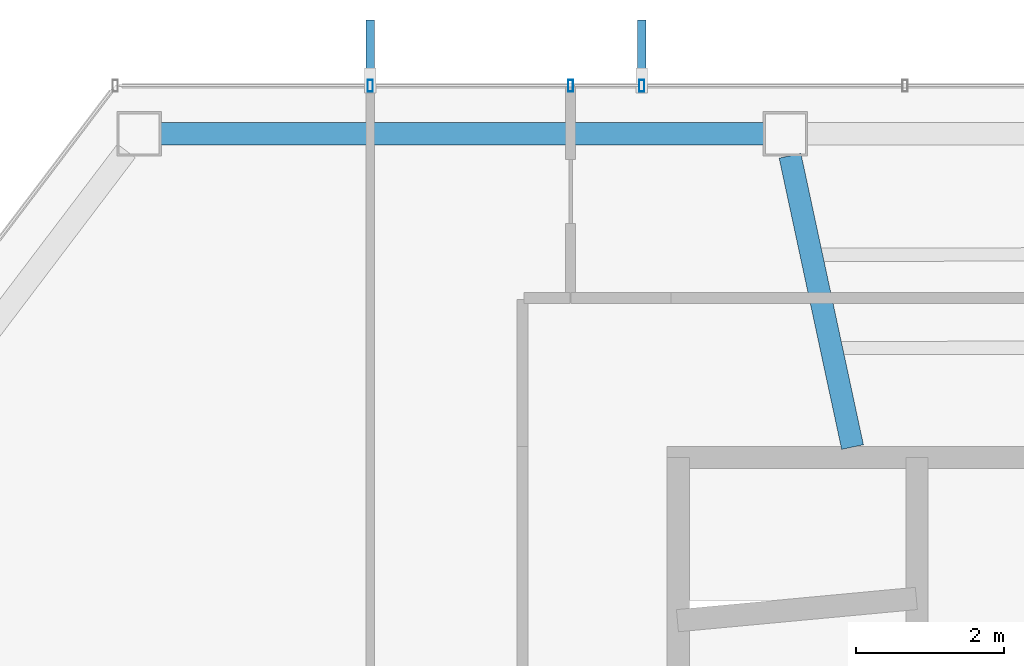
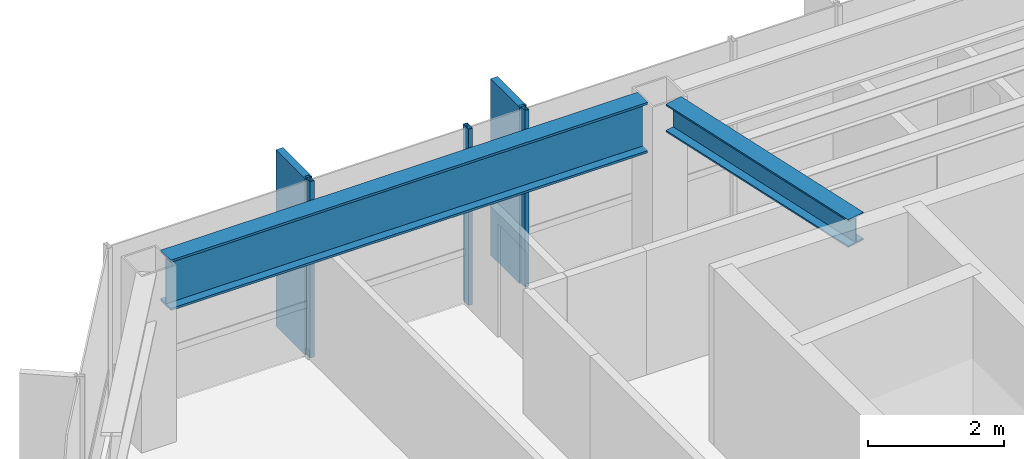
# One storey, part 10 of 25: 5 members, 2 beams, 1 element without a shape of its own.
"""IFC4 building model written with IfcOpenShell, lengths in metres."""

from ifc_helpers import new_model, si_unit, direction, frame, origin, origin_2d, place, context, subcontext, project, spatial, rectangle, hollow_rectangle, i_section, extrude, material, layer, layer_set, material_profile, profile_set, type_object, element, aggregate, save


model = new_model("IFC4")

# Units and contexts
model_context = context("Model", 3, precision=1e-05, world=origin(), true_north=direction((0.0, 1.0)))
body_context = subcontext(model_context, "Body", "Model", "MODEL_VIEW")
ifc_project = project(units=[si_unit("LENGTHUNIT", "METRE"), si_unit("AREAUNIT", "SQUARE_METRE"), si_unit("VOLUMEUNIT", "CUBIC_METRE"), si_unit("PLANEANGLEUNIT", "RADIAN"), si_unit("MASSUNIT", "GRAM", prefix="KILO")], contexts=[model_context])

# Site, building, storey
site_placement = place(None, origin())
site = spatial("IfcSite", under=ifc_project, at=site_placement, CompositionType="ELEMENT")
building_placement = place(site_placement, origin())
building = spatial("IfcBuilding", under=site, at=building_placement, Name="Zarrinselat Tower", CompositionType="ELEMENT")
storey_placement = place(building_placement, frame((0.0, 0.0, 208.760009765625)))
storey = spatial("IfcBuildingStorey", under=building, at=storey_placement, Name="L51", CompositionType="ELEMENT", Elevation=208.760009765625)

# Beams
ifc_material_1 = material(Name="Steel S355J2", Category="steel")
ifc_material_profile_1 = material_profile(ifc_material_1, i_section(OverallWidth=0.300048828125, OverallDepth=0.5, WebThickness=0.014404296875, FlangeThickness=0.028076171875, at=origin_2d()), Name="HEB 500")
ifc_profile_set_1 = profile_set([ifc_material_profile_1], Name="Steel S355J2")
beam_type_1 = type_object("IfcBeamType", Name="BM-HEB500", PredefinedType="BEAM", material=ifc_profile_set_1)
beam_1_placement = place(storey_placement, frame((30.1572265625, 47.4658203125, 2.929931640625), z_axis=(0.209894489711, -0.977724042452, 0.0), x_axis=(0.977724042452, 0.209894489711, 0.0)))
element("IfcBeam", 1, at=beam_1_placement, inside=storey, type_object=beam_type_1, Name="L51 Radial Primary Girder RG04", PredefinedType="BEAM", context=body_context, shape_type="SweptSolid", body=[
    extrude(i_section(OverallWidth=0.300048828125, OverallDepth=0.5, WebThickness=0.014404296875, FlangeThickness=0.028076171875, at=origin_2d()), origin(), (0.0, 0.0, 1.0), 4.01513671875),
])
ifc_material_2 = material(Name="Steel S460M", Category="steel")
ifc_material_profile_2 = material_profile(ifc_material_2, i_section(OverallWidth=0.302001953125, OverallDepth=0.909912109375, WebThickness=0.02099609375, FlangeThickness=0.0400390625, at=origin_2d()), Name="HEM 900")
ifc_profile_set_2 = profile_set([ifc_material_profile_2], Name="Steel S460M")
beam_type_2 = type_object("IfcBeamType", Name="BM-HEM900", PredefinedType="BEAM", material=ifc_profile_set_2)
beam_2_placement = place(storey_placement, frame((21.673583984375, 47.760986328125, 2.72509765625), z_axis=(1.0, 0.0, 0.0), x_axis=(0.0, 1.0, 0.0)))
element("IfcBeam", 2, at=beam_2_placement, inside=storey, type_object=beam_type_2, Name="L51 Perimeter Spandrel Girder SP04", PredefinedType="BEAM", context=body_context, shape_type="SweptSolid", body=[
    extrude(i_section(OverallWidth=0.302001953125, OverallDepth=0.909912109375, WebThickness=0.02099609375, FlangeThickness=0.0400390625, at=origin_2d()), origin(), (0.0, 0.0, 1.0), 8.13232421875),
])

# Curtain wall, members
ifc_material_3 = material(Name="Extruded Aluminium Alloy EN AW-6063 T6", Category="aluminium")
ifc_layer = layer(ifc_material_3, 0.169921875)
ifc_layer_set = layer_set([ifc_layer], Name="Extruded Aluminium Alloy EN AW-6063 T6")
curtain_wall_type = type_object("IfcCurtainWallType", Name="CWS-RES", PredefinedType="NOTDEFINED", material=ifc_layer_set)
curtain_wall_placement = place(storey_placement, origin())
curtain_wall = element("IfcCurtainWall", 3, at=curtain_wall_placement, inside=storey, type_object=curtain_wall_type, Name="L51 Unitised Curtain Wall CW-L51-E01", PredefinedType="NOTDEFINED")
ifc_material_4 = material(Name="Extruded Aluminium Alloy EN AW-6063 T6", Category="aluminium")
ifc_material_profile_3 = material_profile(ifc_material_4, hollow_rectangle(XDim=0.070068359375, YDim=0.159912109375, WallThickness=0.00390625, at=origin_2d()), Name="RHS 160x70x4")
ifc_profile_set_3 = profile_set([ifc_material_profile_3], Name="Extruded Aluminium Alloy EN AW-6063 T6")
member_type_1 = type_object("IfcMemberType", Name="MEM-CW-MUL2", PredefinedType="MULLION", material=ifc_profile_set_3)
member_1_placement = place(storey_placement, frame((28.158447265625, 48.4111328125, 0.0), z_axis=(0.0, 0.0, 1.0), x_axis=(-1.0, 0.0, 0.0)))
member_1 = element("IfcMember", 4, at=member_1_placement, type_object=member_type_1, Name="CW-L51-E01 Mullion 11", PredefinedType="MULLION", context=body_context, shape_type="SweptSolid", body=[
    extrude(hollow_rectangle(XDim=0.070068359375, YDim=0.159912109375, WallThickness=0.00390625, at=origin_2d()), origin(), (0.0, 0.0, 1.0), 3.179931640625),
])
member_2_placement = place(storey_placement, frame((27.199951171875, 48.4111328125, 0.0), z_axis=(0.0, 0.0, 1.0), x_axis=(-1.0, 0.0, 0.0)))
member_2 = element("IfcMember", 5, at=member_2_placement, type_object=member_type_1, Name="CW-L51-E01 Mullion 12", PredefinedType="MULLION", context=body_context, shape_type="SweptSolid", body=[
    extrude(hollow_rectangle(XDim=0.070068359375, YDim=0.159912109375, WallThickness=0.00390625, at=origin_2d()), origin(), (0.0, 0.0, 1.0), 3.179931640625),
])
member_3_placement = place(storey_placement, frame((24.5, 48.4111328125, 0.0), z_axis=(0.0, 0.0, 1.0), x_axis=(-1.0, 0.0, 0.0)))
member_3 = element("IfcMember", 6, at=member_3_placement, type_object=member_type_1, Name="CW-L51-E01 Mullion 13", PredefinedType="MULLION", context=body_context, shape_type="SweptSolid", body=[
    extrude(hollow_rectangle(XDim=0.070068359375, YDim=0.159912109375, WallThickness=0.00390625, at=origin_2d()), origin(), (0.0, 0.0, 1.0), 3.179931640625),
])
ifc_material_5 = material(Name="Honed Cream Travertine Stone", Category="masonry")
ifc_material_profile_4 = material_profile(ifc_material_5, rectangle(XDim=0.1201171875, YDim=0.85009765625, at=origin_2d()), Name="FIN 850x120")
ifc_profile_set_4 = profile_set([ifc_material_profile_4], Name="Honed Cream Travertine Stone")
member_type_2 = type_object("IfcMemberType", Name="MEM-STONE-FIN", PredefinedType="USERDEFINED", material=ifc_profile_set_4)
member_4_placement = place(storey_placement, frame((28.158447265625, 48.87109375, 0.0), z_axis=(0.0, 0.0, 1.0), x_axis=(1.0, 0.0, 0.0)))
member_4 = element("IfcMember", 7, at=member_4_placement, type_object=member_type_2, Name="L51 Stone Shading Fin CW-L51-E01-11", ObjectType="FIN", PredefinedType="USERDEFINED", context=body_context, shape_type="SweptSolid", body=[
    extrude(rectangle(XDim=0.1201171875, YDim=0.85009765625, at=origin_2d()), origin(), (0.0, 0.0, 1.0), 3.179931640625),
])
member_5_placement = place(storey_placement, frame((24.5, 48.87109375, 0.0), z_axis=(0.0, 0.0, 1.0), x_axis=(1.0, 0.0, 0.0)))
member_5 = element("IfcMember", 8, at=member_5_placement, type_object=member_type_2, Name="L51 Stone Shading Fin CW-L51-E01-13", ObjectType="FIN", PredefinedType="USERDEFINED", context=body_context, shape_type="SweptSolid", body=[
    extrude(rectangle(XDim=0.1201171875, YDim=0.85009765625, at=origin_2d()), origin(), (0.0, 0.0, 1.0), 3.179931640625),
])
aggregate(curtain_wall, [member_1, member_4, member_2, member_3, member_5])

save(model, "model.ifc")
